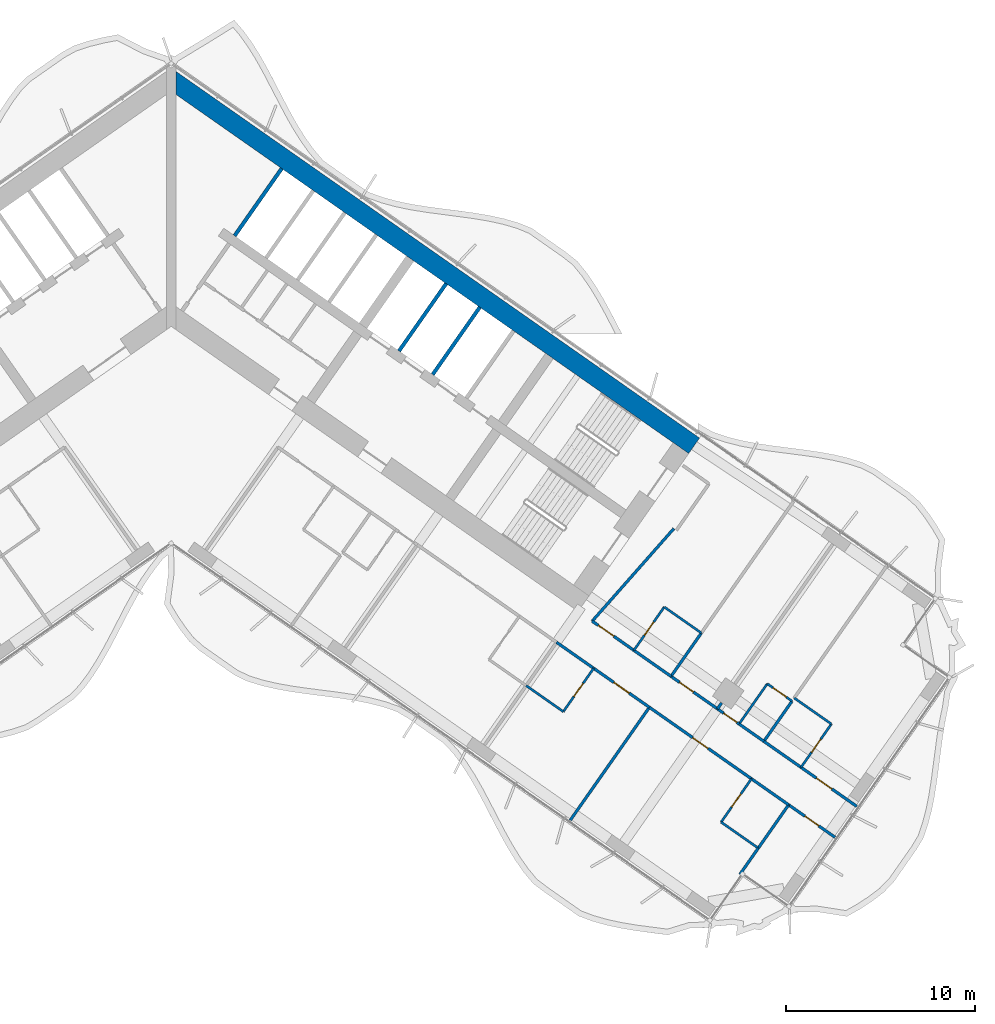
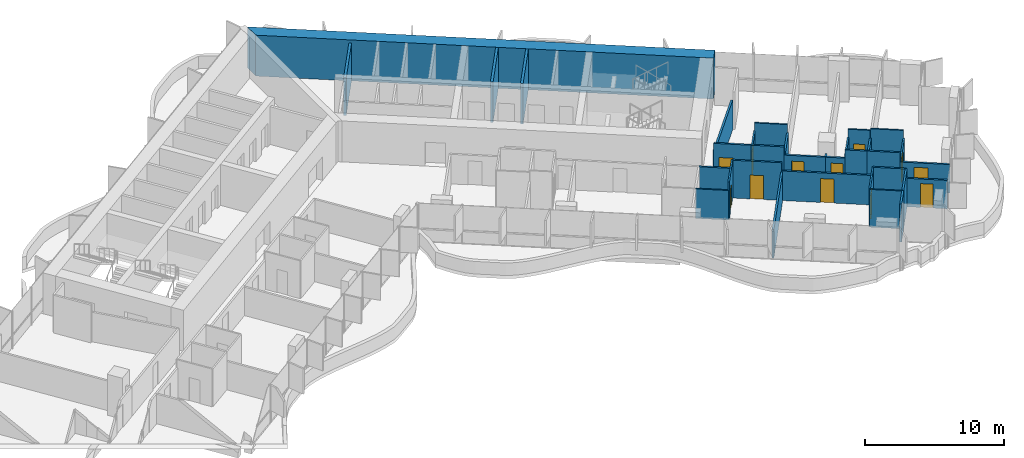
# One storey, part 15 of 23: 33 walls, 12 doors, 12 openings.
"""IFC4 building model written with IfcOpenShell, lengths in metres."""

from ifc_helpers import new_model, si_unit, direction, frame, frame_2d, origin, place, context, subcontext, project, spatial, polyline, rectangle, outline, extrude, material, layer, layer_set, type_object, element, fill, save


model = new_model("IFC4")

# Units and contexts
model_context = context("Model", 3, precision=1e-05, world=origin(), true_north=direction((0.0, 1.0)))
body_context = subcontext(model_context, "Body", "Model", "MODEL_VIEW")
ifc_project = project(units=[si_unit("LENGTHUNIT", "METRE"), si_unit("AREAUNIT", "SQUARE_METRE"), si_unit("VOLUMEUNIT", "CUBIC_METRE"), si_unit("PLANEANGLEUNIT", "RADIAN"), si_unit("MASSUNIT", "GRAM", prefix="KILO")], contexts=[model_context])

# Site, building, storey
site_placement = place(None, origin())
site = spatial("IfcSite", under=ifc_project, at=site_placement, CompositionType="ELEMENT")
building_placement = place(site_placement, origin())
building = spatial("IfcBuilding", under=site, at=building_placement, Name="Tel Ilan Convention Tower", CompositionType="ELEMENT")
storey_placement = place(building_placement, frame((0.0, 0.0, 94.10009765625)))
storey = spatial("IfcBuildingStorey", under=building, at=storey_placement, Name="L19", CompositionType="ELEMENT", Elevation=94.10009765625)

# Walls
ifc_material_1 = material(Name="Concrete C30/37", Category="concrete")
ifc_layer_1 = layer(ifc_material_1, 0.199951171875)
ifc_layer_set_1 = layer_set([ifc_layer_1], Name="Core Service Room Wall 200 mm C30/37")
wall_type_1 = type_object("IfcWallType", Name="Core Service Room Wall 200 mm C30/37", PredefinedType="SOLIDWALL", material=ifc_layer_set_1)
wall_1_placement = place(storey_placement, frame((3.355224609375, 3.5712890625, 0.0), z_axis=(0.0, 0.0, 1.0), x_axis=(0.57356780395, 0.819158088694, 0.0)))
element("IfcWall", 1, at=wall_1_placement, inside=storey, type_object=wall_type_1, Name="L19 core wall apex-E-b", PredefinedType="SOLIDWALL", context=body_context, shape_type="SweptSolid", body=[
    extrude(rectangle(XDim=4.35009765625, YDim=0.199951171875, at=frame_2d((2.175048828125, 0.0))), origin(), (0.0, 0.0, 1.0), 3.31982421875),
])
ifc_material_2 = material(Name="Concrete C60/75", Category="concrete")
ifc_layer_2 = layer(ifc_material_2, 1.0)
ifc_layer_set_2 = layer_set([ifc_layer_2], Name="Core Shear Wall 1000 mm C60/75")
wall_type_2 = type_object("IfcWallType", Name="Core Shear Wall 1000 mm C60/75", PredefinedType="SHEAR", material=ifc_layer_set_2)
wall_2_placement = place(storey_placement, frame((-0.036865234375, 11.8671875, 0.0), z_axis=(0.0, 0.0, 1.0), x_axis=(0.819155306259, -0.573571777746, 0.0)))
element("IfcWall", 2, at=wall_2_placement, inside=storey, type_object=wall_type_2, Name="L19 core wall E-back", PredefinedType="SHEAR", context=body_context, shape_type="SweptSolid", body=[
    extrude(outline(polyline([(33.8369140625, 0.5), (0.0, 0.5), (0.7001953125, -0.499755859375), (33.8369140625, -0.5), (33.8369140625, 0.5)])), origin(), (0.0, 0.0, 1.0), 3.599853515625),
])

# Wall, opening, door
ifc_material_3 = material(Name="Plasterboard on Steel Studs", Category="steel")
ifc_layer_3 = layer(ifc_material_3, 0.14990234375)
ifc_layer_set_3 = layer_set([ifc_layer_3], Name="Fire-rated Partition 150 EI 60")
wall_type_3 = type_object("IfcWallType", Name="Fire-rated Partition 150 EI 60", PredefinedType="PARTITIONING", material=ifc_layer_set_3)
wall_3_placement = place(storey_placement, frame((22.28369140625, -16.823974609375, 0.0), z_axis=(0.0, 0.0, 1.0), x_axis=(0.819176640776, -0.573541307325, 0.0)))
wall_3 = element("IfcWall", 3, at=wall_3_placement, inside=storey, type_object=wall_type_3, Name="Partition 001", PredefinedType="PARTITIONING", context=body_context, shape_type="SweptSolid", body=[
    extrude(rectangle(XDim=2.697509765625, YDim=0.14990234375, at=frame_2d((1.3486328125, 0.0))), origin(), (0.0, 0.0, 1.0), 3.31982421875),
])
opening_1_placement = place(wall_3_placement, frame((0.396240234375, 0.0, 0.0)))
opening_1 = element("IfcOpeningElement", 4, at=opening_1_placement, cuts=wall_3, Name="Opening L19-028", PredefinedType="OPENING", context=body_context, shape_type="SweptSolid", body=[
    extrude(rectangle(XDim=1.0, YDim=2.10009765625, at=frame_2d((0.5, 1.050048828125))), frame((0.0, 0.0849609375, 0.0), z_axis=(0.0, -1.0, 0.0), x_axis=(1.0, 0.0, 0.0)), (0.0, 0.0, 1.0), 0.169921875),
])
ifc_material_4 = material(Name="Timber Door Leaf in Steel Frame", Category="steel")
door_type_1 = type_object("IfcDoorType", Name="Hotel Room Entrance Fire Door 1000x2100", OperationType="NOTDEFINED", PredefinedType="DOOR", material=ifc_material_4)
door_1_placement = place(opening_1_placement, origin())
door_1 = element("IfcDoor", 5, at=door_1_placement, inside=storey, type_object=door_type_1, Name="Door L19-028", OperationType="SINGLE_SWING_RIGHT", OverallHeight=2.10009765625, OverallWidth=1.0, PredefinedType="DOOR", context=body_context, shape_type="SweptSolid", body=[
    extrude(rectangle(XDim=1.0, YDim=2.10009765625, at=frame_2d((0.5, 1.050048828125))), frame((0.0, 0.02490234375, 0.0), z_axis=(0.0, -1.0, 0.0), x_axis=(1.0, 0.0, 0.0)), (0.0, 0.0, 1.0), 0.050048828125),
])
fill(opening_1, door_1)

# Wall
wall_4_placement = place(storey_placement, frame((24.49072265625, -18.369384765625, 0.0), z_axis=(0.0, 0.0, 1.0), x_axis=(0.819179439794, -0.573537309527, 0.0)))
element("IfcWall", 6, at=wall_4_placement, inside=storey, type_object=wall_type_3, Name="Partition 002", PredefinedType="PARTITIONING", context=body_context, shape_type="SweptSolid", body=[
    extrude(rectangle(XDim=2.404296875, YDim=0.14990234375, at=frame_2d((1.2021484375, 0.0))), origin(), (0.0, 0.0, 1.0), 3.31982421875),
])

# Wall, opening, door
wall_5_placement = place(storey_placement, frame((26.456787109375, -19.74609375, 0.0), z_axis=(0.0, 0.0, 1.0), x_axis=(0.81916700466, -0.573555070134, 0.0)))
wall_5 = element("IfcWall", 7, at=wall_5_placement, inside=storey, type_object=wall_type_3, Name="Partition 003", PredefinedType="PARTITIONING", context=body_context, shape_type="SweptSolid", body=[
    extrude(rectangle(XDim=3.00390625, YDim=0.14990234375, at=frame_2d((1.501953125, 0.0))), origin(), (0.0, 0.0, 1.0), 2.599853515625),
])
opening_2_placement = place(wall_5_placement, frame((0.552001953125, 0.0, 0.0)))
opening_2 = element("IfcOpeningElement", 8, at=opening_2_placement, cuts=wall_5, Name="Opening L19-029", PredefinedType="OPENING", context=body_context, shape_type="SweptSolid", body=[
    extrude(rectangle(XDim=0.89990234375, YDim=2.10009765625, at=frame_2d((0.449951171875, 1.050048828125))), frame((0.0, 0.0849609375, 0.0), z_axis=(0.0, -1.0, 0.0), x_axis=(1.0, 0.0, 0.0)), (0.0, 0.0, 1.0), 0.169921875),
])
ifc_material_5 = material(Name="Timber Door Leaf in Steel Frame", Category="steel")
door_type_2 = type_object("IfcDoorType", Name="Room Fire Door 900x2100", OperationType="NOTDEFINED", PredefinedType="DOOR", material=ifc_material_5)
door_2_placement = place(opening_2_placement, origin())
door_2 = element("IfcDoor", 9, at=door_2_placement, inside=storey, type_object=door_type_2, Name="Door L19-029", OperationType="SINGLE_SWING_LEFT", OverallHeight=2.10009765625, OverallWidth=0.89990234375, PredefinedType="DOOR", context=body_context, shape_type="SweptSolid", body=[
    extrude(rectangle(XDim=0.89990234375, YDim=2.10009765625, at=frame_2d((0.449951171875, 1.050048828125))), frame((0.0, 0.02490234375, 0.0), z_axis=(0.0, -1.0, 0.0), x_axis=(1.0, 0.0, 0.0)), (0.0, 0.0, 1.0), 0.050048828125),
])
fill(opening_2, door_2)

wall_6_placement = place(storey_placement, frame((30.0634765625, -22.271484375, 0.0), z_axis=(0.0, 0.0, 1.0), x_axis=(-0.81914197737, 0.573590813132, 0.0)))
wall_6 = element("IfcWall", 10, at=wall_6_placement, inside=storey, type_object=wall_type_3, Name="Partition 004", PredefinedType="PARTITIONING", context=body_context, shape_type="SweptSolid", body=[
    extrude(rectangle(XDim=1.40283203125, YDim=0.14990234375, at=frame_2d((0.701416015625, 0.0))), origin(), (0.0, 0.0, 1.0), 2.599853515625),
])
opening_3_placement = place(wall_6_placement, frame((0.14990234375, 0.0, 0.0)))
opening_3 = element("IfcOpeningElement", 11, at=opening_3_placement, cuts=wall_6, Name="Opening L19-031", PredefinedType="OPENING", context=body_context, shape_type="SweptSolid", body=[
    extrude(rectangle(XDim=0.85009765625, YDim=2.10009765625, at=frame_2d((0.425048828125, 1.050048828125))), frame((0.0, 0.0849609375, 0.0), z_axis=(0.0, -1.0, 0.0), x_axis=(1.0, 0.0, 0.0)), (0.0, 0.0, 1.0), 0.169921875),
])
ifc_material_6 = material(Name="Timber Door Leaf in Steel Frame", Category="steel")
door_type_3 = type_object("IfcDoorType", Name="Room Fire Door 850x2100", OperationType="NOTDEFINED", PredefinedType="DOOR", material=ifc_material_6)
door_3_placement = place(opening_3_placement, origin())
door_3 = element("IfcDoor", 12, at=door_3_placement, inside=storey, type_object=door_type_3, Name="Door L19-031", OperationType="SINGLE_SWING_RIGHT", OverallHeight=2.10009765625, OverallWidth=0.85009765625, PredefinedType="DOOR", context=body_context, shape_type="SweptSolid", body=[
    extrude(rectangle(XDim=0.85009765625, YDim=2.10009765625, at=frame_2d((0.425048828125, 1.050048828125))), frame((0.0, 0.02490234375, 0.0), z_axis=(0.0, -1.0, 0.0), x_axis=(1.0, 0.0, 0.0)), (0.0, 0.0, 1.0), 0.050048828125),
])
fill(opening_3, door_3)

# Wall
wall_7_placement = place(storey_placement, frame((30.06103515625, -22.269775390625, 0.0), z_axis=(0.0, 0.0, 1.0), x_axis=(0.819189013667, -0.573523634986, 0.0)))
element("IfcWall", 13, at=wall_7_placement, inside=storey, type_object=wall_type_3, Name="Partition 005", PredefinedType="PARTITIONING", context=body_context, shape_type="SweptSolid", body=[
    extrude(rectangle(XDim=1.60400390625, YDim=0.14990234375, at=frame_2d((0.802001953125, 0.0))), origin(), (0.0, 0.0, 1.0), 3.31982421875),
])

# Wall, opening, door
wall_8_placement = place(storey_placement, frame((33.33837890625, -24.564697265625, 0.0), z_axis=(0.0, 0.0, 1.0), x_axis=(0.819171400631, -0.573548791636, 0.0)))
wall_8 = element("IfcWall", 14, at=wall_8_placement, inside=storey, type_object=wall_type_3, Name="Partition 006", PredefinedType="PARTITIONING", context=body_context, shape_type="SweptSolid", body=[
    extrude(rectangle(XDim=3.60107421875, YDim=0.14990234375, at=frame_2d((1.800537109375, 0.0))), origin(), (0.0, 0.0, 1.0), 2.5),
])
opening_4_placement = place(wall_8_placement, frame((1.0009765625, 0.0, 0.0)))
opening_4 = element("IfcOpeningElement", 15, at=opening_4_placement, cuts=wall_8, Name="Opening L19-033", PredefinedType="OPENING", context=body_context, shape_type="SweptSolid", body=[
    extrude(rectangle(XDim=1.0, YDim=2.10009765625, at=frame_2d((0.5, 1.050048828125))), frame((0.0, 0.0849609375, 0.0), z_axis=(0.0, -1.0, 0.0), x_axis=(1.0, 0.0, 0.0)), (0.0, 0.0, 1.0), 0.169921875),
])
door_4_placement = place(opening_4_placement, origin())
door_4 = element("IfcDoor", 16, at=door_4_placement, inside=storey, type_object=door_type_1, Name="Door L19-033", OperationType="SINGLE_SWING_RIGHT", OverallHeight=2.10009765625, OverallWidth=1.0, PredefinedType="DOOR", context=body_context, shape_type="SweptSolid", body=[
    extrude(rectangle(XDim=1.0, YDim=2.10009765625, at=frame_2d((0.5, 1.050048828125))), frame((0.0, 0.02490234375, 0.0), z_axis=(0.0, -1.0, 0.0), x_axis=(1.0, 0.0, 0.0)), (0.0, 0.0, 1.0), 0.050048828125),
])
fill(opening_4, door_4)

# Wall
wall_9_placement = place(storey_placement, frame((31.37158203125, -23.1875, 0.0), z_axis=(0.0, 0.0, 1.0), x_axis=(0.819179439794, -0.573537309527, 0.0)))
element("IfcWall", 17, at=wall_9_placement, inside=storey, type_object=wall_type_3, Name="Partition 007", PredefinedType="PARTITIONING", context=body_context, shape_type="SweptSolid", body=[
    extrude(rectangle(XDim=2.404296875, YDim=0.14990234375, at=frame_2d((1.2021484375, 0.0))), origin(), (0.0, 0.0, 1.0), 3.31982421875),
])

# Wall, opening, door
wall_10_placement = place(storey_placement, frame((25.31298828125, -21.38671875, 0.0), z_axis=(0.0, 0.0, 1.0), x_axis=(-0.819145961204, 0.573585123798, 0.0)))
wall_10 = element("IfcWall", 18, at=wall_10_placement, inside=storey, type_object=wall_type_3, Name="Partition 014", PredefinedType="PARTITIONING", context=body_context, shape_type="SweptSolid", body=[
    extrude(rectangle(XDim=3.60302734375, YDim=0.14990234375, at=frame_2d((1.801513671875, 0.0))), origin(), (0.0, 0.0, 1.0), 3.31982421875),
])
opening_5_placement = place(wall_10_placement, frame((1.302001953125, 0.0, 0.0)))
opening_5 = element("IfcOpeningElement", 19, at=opening_5_placement, cuts=wall_10, Name="Opening L19-023", PredefinedType="OPENING", context=body_context, shape_type="SweptSolid", body=[
    extrude(rectangle(XDim=1.0, YDim=2.10009765625, at=frame_2d((0.5, 1.050048828125))), frame((0.0, 0.0849609375, 0.0), z_axis=(0.0, -1.0, 0.0), x_axis=(1.0, 0.0, 0.0)), (0.0, 0.0, 1.0), 0.169921875),
])
door_5_placement = place(opening_5_placement, origin())
door_5 = element("IfcDoor", 20, at=door_5_placement, inside=storey, type_object=door_type_1, Name="Door L19-023", OperationType="SINGLE_SWING_LEFT", OverallHeight=2.10009765625, OverallWidth=1.0, PredefinedType="DOOR", context=body_context, shape_type="SweptSolid", body=[
    extrude(rectangle(XDim=1.0, YDim=2.10009765625, at=frame_2d((0.5, 1.050048828125))), frame((0.0, 0.02490234375, 0.0), z_axis=(0.0, -1.0, 0.0), x_axis=(1.0, 0.0, 0.0)), (0.0, 0.0, 1.0), 0.050048828125),
])
fill(opening_5, door_5)

# Wall
wall_11_placement = place(storey_placement, frame((22.364013671875, -19.32177734375, 0.0), z_axis=(0.0, 0.0, 1.0), x_axis=(-0.819146032251, 0.573585022335, 0.0)))
element("IfcWall", 21, at=wall_11_placement, inside=storey, type_object=wall_type_3, Name="Partition 015", PredefinedType="PARTITIONING", context=body_context, shape_type="SweptSolid", body=[
    extrude(rectangle(XDim=2.404052734375, YDim=0.14990234375, at=frame_2d((1.2021484375, 0.0))), origin(), (0.0, 0.0, 1.0), 2.599853515625),
])

# Wall, opening, door
wall_12_placement = place(storey_placement, frame((30.718505859375, -25.171630859375, 0.0), z_axis=(0.0, 0.0, 1.0), x_axis=(-0.819153746897, 0.573574004767, 0.0)))
wall_12 = element("IfcWall", 22, at=wall_12_placement, inside=storey, type_object=wall_type_3, Name="Partition 016", PredefinedType="PARTITIONING", context=body_context, shape_type="SweptSolid", body=[
    extrude(rectangle(XDim=6.60302734375, YDim=0.14990234375, at=frame_2d((3.301513671875, 0.0))), origin(), (0.0, 0.0, 1.0), 2.599853515625),
])
opening_6_placement = place(wall_12_placement, frame((2.801025390625, 0.0, 0.0)))
opening_6 = element("IfcOpeningElement", 23, at=opening_6_placement, cuts=wall_12, Name="Opening L19-025", PredefinedType="OPENING", context=body_context, shape_type="SweptSolid", body=[
    extrude(rectangle(XDim=1.0, YDim=2.10009765625, at=frame_2d((0.5, 1.050048828125))), frame((0.0, 0.0849609375, 0.0), z_axis=(0.0, -1.0, 0.0), x_axis=(1.0, 0.0, 0.0)), (0.0, 0.0, 1.0), 0.169921875),
])
door_6_placement = place(opening_6_placement, origin())
door_6 = element("IfcDoor", 24, at=door_6_placement, inside=storey, type_object=door_type_1, Name="Door L19-025", OperationType="SINGLE_SWING_RIGHT", OverallHeight=2.10009765625, OverallWidth=1.0, PredefinedType="DOOR", context=body_context, shape_type="SweptSolid", body=[
    extrude(rectangle(XDim=1.0, YDim=2.10009765625, at=frame_2d((0.5, 1.050048828125))), frame((0.0, 0.02490234375, 0.0), z_axis=(0.0, -1.0, 0.0), x_axis=(1.0, 0.0, 0.0)), (0.0, 0.0, 1.0), 0.050048828125),
])
fill(opening_6, door_6)

# Wall
wall_13_placement = place(storey_placement, frame((32.685302734375, -26.548828125, 0.0), z_axis=(0.0, 0.0, 1.0), x_axis=(-0.819146032251, 0.573585022335, 0.0)))
element("IfcWall", 25, at=wall_13_placement, inside=storey, type_object=wall_type_3, Name="Partition 017", PredefinedType="PARTITIONING", context=body_context, shape_type="SweptSolid", body=[
    extrude(rectangle(XDim=2.404052734375, YDim=0.14990234375, at=frame_2d((1.2021484375, 0.0))), origin(), (0.0, 0.0, 1.0), 3.31982421875),
])

# Wall, opening, door
wall_14_placement = place(storey_placement, frame((35.14111328125, -28.268310546875, 0.0), z_axis=(0.0, 0.0, 1.0), x_axis=(-0.81915932427, 0.57356603932, 0.0)))
wall_14 = element("IfcWall", 26, at=wall_14_placement, inside=storey, type_object=wall_type_3, Name="Partition 018", PredefinedType="PARTITIONING", context=body_context, shape_type="SweptSolid", body=[
    extrude(rectangle(XDim=3.002197265625, YDim=0.14990234375, at=frame_2d((1.5009765625, 0.0))), origin(), (0.0, 0.0, 1.0), 2.5),
])
opening_7_placement = place(wall_14_placement, frame((1.051025390625, 0.0, 0.0)))
opening_7 = element("IfcOpeningElement", 27, at=opening_7_placement, cuts=wall_14, Name="Opening L19-026", PredefinedType="OPENING", context=body_context, shape_type="SweptSolid", body=[
    extrude(rectangle(XDim=0.89990234375, YDim=2.10009765625, at=frame_2d((0.449951171875, 1.050048828125))), frame((0.0, 0.0849609375, 0.0), z_axis=(0.0, -1.0, 0.0), x_axis=(1.0, 0.0, 0.0)), (0.0, 0.0, 1.0), 0.169921875),
])
door_7_placement = place(opening_7_placement, origin())
door_7 = element("IfcDoor", 28, at=door_7_placement, inside=storey, type_object=door_type_2, Name="Door L19-026", OperationType="SINGLE_SWING_LEFT", OverallHeight=2.10009765625, OverallWidth=0.89990234375, PredefinedType="DOOR", context=body_context, shape_type="SweptSolid", body=[
    extrude(rectangle(XDim=0.89990234375, YDim=2.10009765625, at=frame_2d((0.449951171875, 1.050048828125))), frame((0.0, 0.02490234375, 0.0), z_axis=(0.0, -1.0, 0.0), x_axis=(1.0, 0.0, 0.0)), (0.0, 0.0, 1.0), 0.050048828125),
])
fill(opening_7, door_7)

# Walls
wall_15_placement = place(storey_placement, frame((22.285400390625, -16.8251953125, 0.0), z_axis=(0.0, 0.0, 1.0), x_axis=(0.661551268245, 0.749899939647, 0.0)))
element("IfcWall", 29, at=wall_15_placement, inside=storey, type_object=wall_type_3, Name="Partition 037", PredefinedType="PARTITIONING", context=body_context, shape_type="SweptSolid", body=[
    extrude(rectangle(XDim=6.541015625, YDim=0.14990234375, at=frame_2d((3.2705078125, 0.0))), origin(), (0.0, 0.0, 1.0), 2.599853515625),
])
wall_16_placement = place(storey_placement, frame((28.064453125, -17.45361328125, 0.0), z_axis=(0.0, 0.0, 1.0), x_axis=(-0.573550118428, -0.819170471667, 0.0)))
element("IfcWall", 30, at=wall_16_placement, inside=storey, type_object=wall_type_3, Name="Partition 040", PredefinedType="PARTITIONING", context=body_context, shape_type="SweptSolid", body=[
    extrude(rectangle(XDim=2.800048828125, YDim=0.14990234375, at=frame_2d((1.39990234375, 0.0))), origin(), (0.0, 0.0, 1.0), 2.599853515625),
])
wall_17_placement = place(storey_placement, frame((29.1337890625, -21.156494140625, 0.0), z_axis=(0.0, 0.0, 1.0), x_axis=(-0.572944929411, -0.819593867633, 0.0)))
element("IfcWall", 31, at=wall_17_placement, inside=storey, type_object=wall_type_3, Name="Partition 042", PredefinedType="PARTITIONING", context=body_context, shape_type="SweptSolid", body=[
    extrude(rectangle(XDim=0.380126953125, YDim=0.14990234375, at=frame_2d((0.18994140625, 0.0))), origin(), (0.0, 0.0, 1.0), 2.599853515625),
])
wall_18_placement = place(storey_placement, frame((32.86474609375, -21.058837890625, 0.0), z_axis=(0.0, 0.0, 1.0), x_axis=(-0.573600972199, -0.819134863556, 0.0)))
element("IfcWall", 32, at=wall_18_placement, inside=storey, type_object=wall_type_3, Name="Partition 046", PredefinedType="PARTITIONING", context=body_context, shape_type="SweptSolid", body=[
    extrude(rectangle(XDim=2.60009765625, YDim=0.14990234375, at=frame_2d((1.300048828125, 0.0))), origin(), (0.0, 0.0, 1.0), 2.599853515625),
])
wall_19_placement = place(storey_placement, frame((25.311279296875, -21.385498046875, 0.0), z_axis=(0.0, 0.0, 1.0), x_axis=(-0.573572324301, -0.819154923562, 0.0)))
element("IfcWall", 33, at=wall_19_placement, inside=storey, type_object=wall_type_3, Name="Partition 063", PredefinedType="PARTITIONING", context=body_context, shape_type="SweptSolid", body=[
    extrude(rectangle(XDim=7.2998046875, YDim=0.14990234375, at=frame_2d((3.64990234375, 0.0))), origin(), (0.0, 0.0, 1.0), 2.5),
])
wall_20_placement = place(storey_placement, frame((31.0771484375, -28.842041015625, 0.0), z_axis=(0.0, 0.0, 1.0), x_axis=(-0.573597175316, -0.819137522318, 0.0)))
element("IfcWall", 34, at=wall_20_placement, inside=storey, type_object=wall_type_3, Name="Partition 066", PredefinedType="PARTITIONING", context=body_context, shape_type="SweptSolid", body=[
    extrude(rectangle(XDim=1.701171875, YDim=0.14990234375, at=frame_2d((0.8505859375, 0.0))), origin(), (0.0, 0.0, 1.0), 3.31982421875),
])
wall_21_placement = place(storey_placement, frame((32.68359375, -26.547607421875, 0.0), z_axis=(0.0, 0.0, 1.0), x_axis=(-0.573550118428, -0.819170471667, 0.0)))
element("IfcWall", 35, at=wall_21_placement, inside=storey, type_object=wall_type_3, Name="Partition 067", PredefinedType="PARTITIONING", context=body_context, shape_type="SweptSolid", body=[
    extrude(rectangle(XDim=2.800048828125, YDim=0.14990234375, at=frame_2d((1.39990234375, 0.0))), origin(), (0.0, 0.0, 1.0), 3.31982421875),
])
ifc_material_7 = material(Name="Concrete C30/37", Category="concrete")
ifc_layer_4 = layer(ifc_material_7, 0.199951171875)
ifc_layer_set_4 = layer_set([ifc_layer_4], Name="Lift Shaft Wall 200 mm C30/37")
wall_type_4 = type_object("IfcWallType", Name="Lift Shaft Wall 200 mm C30/37", PredefinedType="SOLIDWALL", material=ifc_layer_set_4)
wall_22_placement = place(storey_placement, frame((12.05859375, -2.52294921875, 0.0), z_axis=(0.0, 0.0, 1.0), x_axis=(0.573594173421, 0.819139624372, 0.0)))
element("IfcWall", 36, at=wall_22_placement, inside=storey, type_object=wall_type_4, Name="L19 core wall bank-E2-p0", PredefinedType="SOLIDWALL", context=body_context, shape_type="SweptSolid", body=[
    extrude(rectangle(XDim=4.349853515625, YDim=0.199951171875, at=frame_2d((2.1748046875, 0.0))), origin(), (0.0, 0.0, 1.0), 3.599853515625),
])
wall_23_placement = place(storey_placement, frame((13.84033203125, -3.7705078125, 0.0), z_axis=(0.0, 0.0, 1.0), x_axis=(0.57356780395, 0.819158088694, 0.0)))
element("IfcWall", 37, at=wall_23_placement, inside=storey, type_object=wall_type_4, Name="L19 core wall bank-E2-p1", PredefinedType="SOLIDWALL", context=body_context, shape_type="SweptSolid", body=[
    extrude(rectangle(XDim=4.35009765625, YDim=0.199951171875, at=frame_2d((2.175048828125, 0.0))), origin(), (0.0, 0.0, 1.0), 3.599853515625),
])

# Wall, opening, door
ifc_material_8 = material(Name="Plasterboard on Steel Studs", Category="steel")
ifc_layer_5 = layer(ifc_material_8, 0.1201171875)
ifc_layer_set_5 = layer_set([ifc_layer_5], Name="Moisture-resistant Partition 120")
wall_type_5 = type_object("IfcWallType", Name="Moisture-resistant Partition 120", PredefinedType="PARTITIONING", material=ifc_layer_set_5)
wall_24_placement = place(storey_placement, frame((26.09765625, -16.076416015625, 0.0), z_axis=(0.0, 0.0, 1.0), x_axis=(-0.573550118428, -0.819170471667, 0.0)))
wall_24 = element("IfcWall", 38, at=wall_24_placement, inside=storey, type_object=wall_type_5, Name="Partition 034", PredefinedType="PARTITIONING", context=body_context, shape_type="SweptSolid", body=[
    extrude(rectangle(XDim=2.800048828125, YDim=0.1201171875, at=frame_2d((1.39990234375, 0.0))), origin(), (0.0, 0.0, 1.0), 2.599853515625),
])
opening_8_placement = place(wall_24_placement, frame((0.97509765625, 0.0, 0.0)))
opening_8 = element("IfcOpeningElement", 39, at=opening_8_placement, cuts=wall_24, Name="Opening L19-027", PredefinedType="OPENING", context=body_context, shape_type="SweptSolid", body=[
    extrude(rectangle(XDim=0.85009765625, YDim=2.050048828125, at=frame_2d((0.425048828125, 1.02490234375))), frame((0.0, 0.070068359375, 0.0), z_axis=(0.0, -1.0, 0.0), x_axis=(1.0, 0.0, 0.0)), (0.0, 0.0, 1.0), 0.14013671875),
])
ifc_material_9 = material(Name="Timber Door Leaf in Steel Frame", Category="steel")
door_type_4 = type_object("IfcDoorType", Name="Bathroom Timber Door 850x2050", OperationType="NOTDEFINED", PredefinedType="DOOR", material=ifc_material_9)
door_8_placement = place(opening_8_placement, origin())
door_8 = element("IfcDoor", 40, at=door_8_placement, inside=storey, type_object=door_type_4, Name="Door L19-027", OperationType="SINGLE_SWING_LEFT", OverallHeight=2.050048828125, OverallWidth=0.85009765625, PredefinedType="DOOR", context=body_context, shape_type="SweptSolid", body=[
    extrude(rectangle(XDim=0.85009765625, YDim=2.050048828125, at=frame_2d((0.425048828125, 1.02490234375))), frame((0.0, 0.02490234375, 0.0), z_axis=(0.0, -1.0, 0.0), x_axis=(1.0, 0.0, 0.0)), (0.0, 0.0, 1.0), 0.050048828125),
])
fill(opening_8, door_8)

# Wall
wall_25_placement = place(storey_placement, frame((28.06494140625, -17.45263671875, 0.0), z_axis=(0.0, 0.0, 1.0), x_axis=(-0.819155442668, 0.573571582932, 0.0)))
element("IfcWall", 41, at=wall_25_placement, inside=storey, type_object=wall_type_5, Name="Partition 035", PredefinedType="PARTITIONING", context=body_context, shape_type="SweptSolid", body=[
    extrude(rectangle(XDim=2.39990234375, YDim=0.1201171875, at=frame_2d((1.199951171875, 0.0))), origin(), (0.0, 0.0, 1.0), 3.31982421875),
])

# Wall, opening, door
wall_26_placement = place(storey_placement, frame((32.865234375, -21.05810546875, 0.0), z_axis=(0.0, 0.0, 1.0), x_axis=(-0.819131543282, 0.57360571371, 0.0)))
wall_26 = element("IfcWall", 42, at=wall_26_placement, inside=storey, type_object=wall_type_5, Name="Partition 043", PredefinedType="PARTITIONING", context=body_context, shape_type="SweptSolid", body=[
    extrude(rectangle(XDim=1.599853515625, YDim=0.1201171875, at=frame_2d((0.7998046875, 0.0))), origin(), (0.0, 0.0, 1.0), 3.31982421875),
])
opening_9_placement = place(wall_26_placement, frame((0.375, 0.0, 0.0)))
opening_9 = element("IfcOpeningElement", 43, at=opening_9_placement, cuts=wall_26, Name="Opening L19-030", PredefinedType="OPENING", context=body_context, shape_type="SweptSolid", body=[
    extrude(rectangle(XDim=0.85009765625, YDim=2.050048828125, at=frame_2d((0.425048828125, 1.02490234375))), frame((0.0, 0.070068359375, 0.0), z_axis=(0.0, -1.0, 0.0), x_axis=(1.0, 0.0, 0.0)), (0.0, 0.0, 1.0), 0.14013671875),
])
door_9_placement = place(opening_9_placement, origin())
door_9 = element("IfcDoor", 44, at=door_9_placement, inside=storey, type_object=door_type_4, Name="Door L19-030", OperationType="SINGLE_SWING_RIGHT", OverallHeight=2.050048828125, OverallWidth=0.85009765625, PredefinedType="DOOR", context=body_context, shape_type="SweptSolid", body=[
    extrude(rectangle(XDim=0.85009765625, YDim=2.050048828125, at=frame_2d((0.425048828125, 1.02490234375))), frame((0.0, 0.02490234375, 0.0), z_axis=(0.0, -1.0, 0.0), x_axis=(1.0, 0.0, 0.0)), (0.0, 0.0, 1.0), 0.050048828125),
])
fill(opening_9, door_9)

# Wall
wall_27_placement = place(storey_placement, frame((31.55322265625, -20.140380859375, 0.0), z_axis=(0.0, 0.0, 1.0), x_axis=(-0.573537965655, -0.819178980414, 0.0)))
element("IfcWall", 45, at=wall_27_placement, inside=storey, type_object=wall_type_5, Name="Partition 044", PredefinedType="PARTITIONING", context=body_context, shape_type="SweptSolid", body=[
    extrude(rectangle(XDim=2.60009765625, YDim=0.1201171875, at=frame_2d((1.300048828125, 0.0))), origin(), (0.0, 0.0, 1.0), 2.599853515625),
])

# Wall, opening, door
wall_28_placement = place(storey_placement, frame((33.340087890625, -24.56591796875, 0.0), z_axis=(0.0, 0.0, 1.0), x_axis=(0.573608623498, 0.819129505664, 0.0)))
wall_28 = element("IfcWall", 46, at=wall_28_placement, inside=storey, type_object=wall_type_5, Name="Partition 047", PredefinedType="PARTITIONING", context=body_context, shape_type="SweptSolid", body=[
    extrude(rectangle(XDim=2.800048828125, YDim=0.1201171875, at=frame_2d((1.39990234375, 0.0))), origin(), (0.0, 0.0, 1.0), 2.599853515625),
])
opening_10_placement = place(wall_28_placement, frame((0.97509765625, 0.0, 0.0)))
opening_10 = element("IfcOpeningElement", 47, at=opening_10_placement, cuts=wall_28, Name="Opening L19-032", PredefinedType="OPENING", context=body_context, shape_type="SweptSolid", body=[
    extrude(rectangle(XDim=0.85009765625, YDim=2.050048828125, at=frame_2d((0.425048828125, 1.02490234375))), frame((0.0, 0.070068359375, 0.0), z_axis=(0.0, -1.0, 0.0), x_axis=(1.0, 0.0, 0.0)), (0.0, 0.0, 1.0), 0.14013671875),
])
door_10_placement = place(opening_10_placement, origin())
door_10 = element("IfcDoor", 48, at=door_10_placement, inside=storey, type_object=door_type_4, Name="Door L19-032", OperationType="SINGLE_SWING_RIGHT", OverallHeight=2.050048828125, OverallWidth=0.85009765625, PredefinedType="DOOR", context=body_context, shape_type="SweptSolid", body=[
    extrude(rectangle(XDim=0.85009765625, YDim=2.050048828125, at=frame_2d((0.425048828125, 1.02490234375))), frame((0.0, 0.02490234375, 0.0), z_axis=(0.0, -1.0, 0.0), x_axis=(1.0, 0.0, 0.0)), (0.0, 0.0, 1.0), 0.050048828125),
])
fill(opening_10, door_10)

# Walls
wall_29_placement = place(storey_placement, frame((34.94580078125, -22.270751953125, 0.0), z_axis=(0.0, 0.0, 1.0), x_axis=(-0.819155442668, 0.573571582932, 0.0)))
element("IfcWall", 49, at=wall_29_placement, inside=storey, type_object=wall_type_5, Name="Partition 048", PredefinedType="PARTITIONING", context=body_context, shape_type="SweptSolid", body=[
    extrude(rectangle(XDim=2.39990234375, YDim=0.1201171875, at=frame_2d((1.199951171875, 0.0))), origin(), (0.0, 0.0, 1.0), 3.31982421875),
])
wall_30_placement = place(storey_placement, frame((18.789794921875, -20.238525390625, 0.0), z_axis=(0.0, 0.0, 1.0), x_axis=(0.819188907105, -0.573523787192, 0.0)))
element("IfcWall", 50, at=wall_30_placement, inside=storey, type_object=wall_type_5, Name="Partition 061", PredefinedType="PARTITIONING", context=body_context, shape_type="SweptSolid", body=[
    extrude(rectangle(XDim=2.39990234375, YDim=0.1201171875, at=frame_2d((1.199951171875, 0.0))), origin(), (0.0, 0.0, 1.0), 2.599853515625),
])

# Wall, opening, door
wall_31_placement = place(storey_placement, frame((20.757080078125, -21.61474609375, 0.0), z_axis=(0.0, 0.0, 1.0), x_axis=(0.57364959175, 0.819100815459, 0.0)))
wall_31 = element("IfcWall", 51, at=wall_31_placement, inside=storey, type_object=wall_type_5, Name="Partition 062", PredefinedType="PARTITIONING", context=body_context, shape_type="SweptSolid", body=[
    extrude(rectangle(XDim=2.800048828125, YDim=0.1201171875, at=frame_2d((1.39990234375, 0.0))), origin(), (0.0, 0.0, 1.0), 3.31982421875),
])
opening_11_placement = place(wall_31_placement, frame((0.97509765625, 0.0, 0.0)))
opening_11 = element("IfcOpeningElement", 52, at=opening_11_placement, cuts=wall_31, Name="Opening L19-022", PredefinedType="OPENING", context=body_context, shape_type="SweptSolid", body=[
    extrude(rectangle(XDim=0.85009765625, YDim=2.050048828125, at=frame_2d((0.425048828125, 1.02490234375))), frame((0.0, 0.070068359375, 0.0), z_axis=(0.0, -1.0, 0.0), x_axis=(1.0, 0.0, 0.0)), (0.0, 0.0, 1.0), 0.14013671875),
])
door_11_placement = place(opening_11_placement, origin())
door_11 = element("IfcDoor", 53, at=door_11_placement, inside=storey, type_object=door_type_4, Name="Door L19-022", OperationType="SINGLE_SWING_RIGHT", OverallHeight=2.050048828125, OverallWidth=0.85009765625, PredefinedType="DOOR", context=body_context, shape_type="SweptSolid", body=[
    extrude(rectangle(XDim=0.85009765625, YDim=2.050048828125, at=frame_2d((0.425048828125, 1.02490234375))), frame((0.0, 0.02490234375, 0.0), z_axis=(0.0, -1.0, 0.0), x_axis=(1.0, 0.0, 0.0)), (0.0, 0.0, 1.0), 0.050048828125),
])
fill(opening_11, door_11)

wall_32_placement = place(storey_placement, frame((30.716796875, -25.17041015625, 0.0), z_axis=(0.0, 0.0, 1.0), x_axis=(-0.573550118428, -0.819170471667, 0.0)))
wall_32 = element("IfcWall", 54, at=wall_32_placement, inside=storey, type_object=wall_type_5, Name="Partition 064", PredefinedType="PARTITIONING", context=body_context, shape_type="SweptSolid", body=[
    extrude(rectangle(XDim=2.800048828125, YDim=0.1201171875, at=frame_2d((1.39990234375, 0.0))), origin(), (0.0, 0.0, 1.0), 3.31982421875),
])
opening_12_placement = place(wall_32_placement, frame((0.97509765625, 0.0, 0.0)))
opening_12 = element("IfcOpeningElement", 55, at=opening_12_placement, cuts=wall_32, Name="Opening L19-024", PredefinedType="OPENING", context=body_context, shape_type="SweptSolid", body=[
    extrude(rectangle(XDim=0.85009765625, YDim=2.050048828125, at=frame_2d((0.425048828125, 1.02490234375))), frame((0.0, 0.070068359375, 0.0), z_axis=(0.0, -1.0, 0.0), x_axis=(1.0, 0.0, 0.0)), (0.0, 0.0, 1.0), 0.14013671875),
])
door_12_placement = place(opening_12_placement, origin())
door_12 = element("IfcDoor", 56, at=door_12_placement, inside=storey, type_object=door_type_4, Name="Door L19-024", OperationType="SINGLE_SWING_RIGHT", OverallHeight=2.050048828125, OverallWidth=0.85009765625, PredefinedType="DOOR", context=body_context, shape_type="SweptSolid", body=[
    extrude(rectangle(XDim=0.85009765625, YDim=2.050048828125, at=frame_2d((0.425048828125, 1.02490234375))), frame((0.0, 0.02490234375, 0.0), z_axis=(0.0, -1.0, 0.0), x_axis=(1.0, 0.0, 0.0)), (0.0, 0.0, 1.0), 0.050048828125),
])
fill(opening_12, door_12)

# Wall
wall_33_placement = place(storey_placement, frame((29.111083984375, -27.465576171875, 0.0), z_axis=(0.0, 0.0, 1.0), x_axis=(0.819188907105, -0.573523787192, 0.0)))
element("IfcWall", 57, at=wall_33_placement, inside=storey, type_object=wall_type_5, Name="Partition 065", PredefinedType="PARTITIONING", context=body_context, shape_type="SweptSolid", body=[
    extrude(rectangle(XDim=2.39990234375, YDim=0.1201171875, at=frame_2d((1.199951171875, 0.0))), origin(), (0.0, 0.0, 1.0), 3.31982421875),
])

save(model, "model.ifc")
